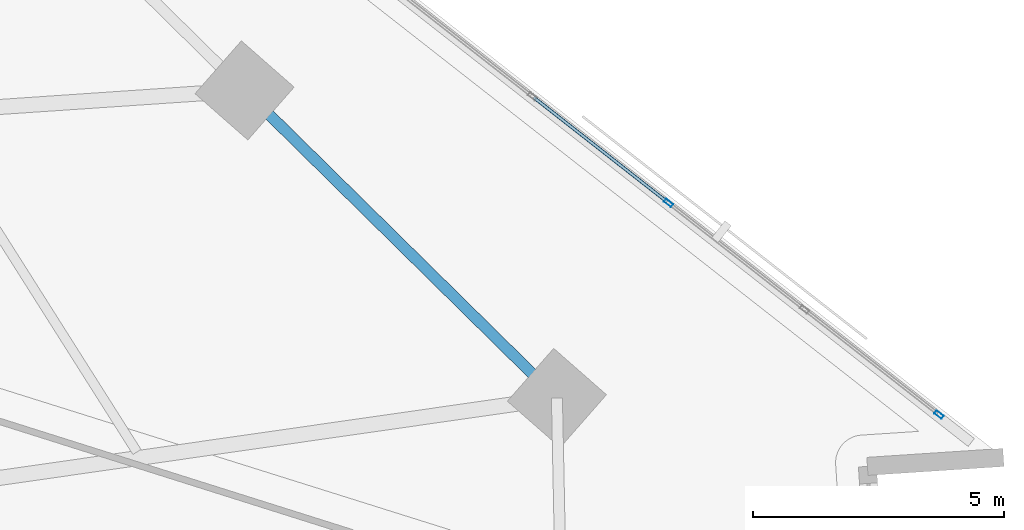
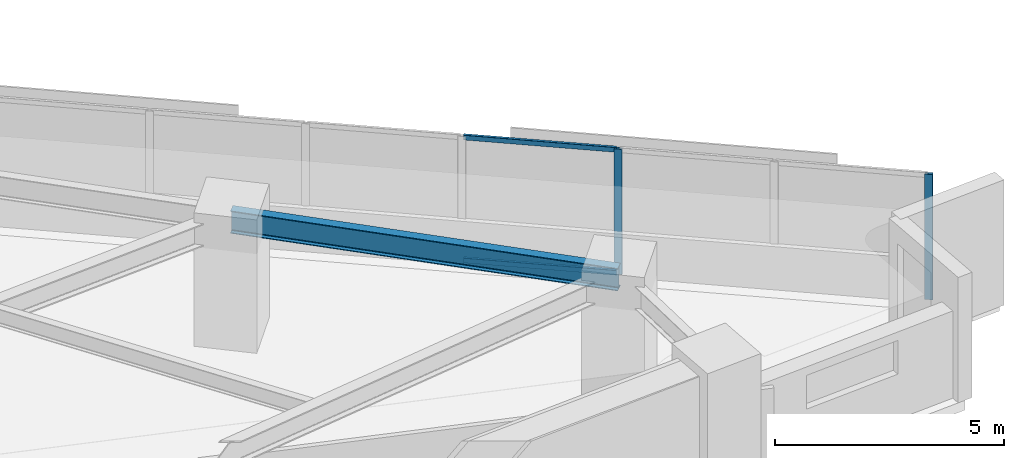
# One storey, part 4 of 16: 4 members, 1 beam, 1 element without a shape of its own.
"""IFC4 building model written with IfcOpenShell, lengths in metres."""

from ifc_helpers import new_model, si_unit, direction, frame, origin, origin_2d, place, context, subcontext, project, spatial, hollow_rectangle, i_section, extrude, material, material_profile, profile_set, type_object, element, aggregate, save


model = new_model("IFC4")

# Units and contexts
model_context = context("Model", 3, precision=1e-05, world=origin(), true_north=direction((0.0, 1.0)))
body_context = subcontext(model_context, "Body", "Model", "MODEL_VIEW")
ifc_project = project(units=[si_unit("LENGTHUNIT", "METRE"), si_unit("AREAUNIT", "SQUARE_METRE"), si_unit("VOLUMEUNIT", "CUBIC_METRE"), si_unit("PLANEANGLEUNIT", "RADIAN"), si_unit("MASSUNIT", "GRAM", prefix="KILO")], contexts=[model_context])

# Site, building, storey
site_placement = place(None, origin())
site = spatial("IfcSite", under=ifc_project, at=site_placement, CompositionType="ELEMENT")
building_placement = place(site_placement, origin())
building = spatial("IfcBuilding", under=site, at=building_placement, Name="Narakoshi Arena Tower", CompositionType="ELEMENT")
storey_placement = place(building_placement, frame((0.0, 0.0, 77.699951171875)))
storey = spatial("IfcBuildingStorey", under=building, at=storey_placement, Name="L20", CompositionType="ELEMENT", Elevation=77.699951171875)

# Beam
ifc_material_1 = material(Name="Structural steel S355J2", Category="steel")
ifc_material_profile_1 = material_profile(ifc_material_1, i_section(OverallWidth=0.219970703125, OverallDepth=0.60009765625, WebThickness=0.011962890625, FlangeThickness=0.01904296875, FilletRadius=0.02392578125, at=origin_2d()), Name="IPE600")
ifc_profile_set_1 = profile_set([ifc_material_profile_1], Name="Structural steel S355J2")
beam_type = type_object("IfcBeamType", Name="BM-EDGE-600", PredefinedType="BEAM", material=ifc_profile_set_1)
beam_placement = place(storey_placement, frame((113.21630859375, 38.669189453125, 3.0400390625), z_axis=(-0.712519972485, 0.701651828765, 0.0), x_axis=(-0.701651828765, -0.712519972485, 0.0)))
element("IfcBeam", 1, at=beam_placement, inside=storey, type_object=beam_type, Name="L20 Perimeter Edge Girder 05", PredefinedType="BEAM", context=body_context, shape_type="SweptSolid", body=[
    extrude(i_section(OverallWidth=0.219970703125, OverallDepth=0.60009765625, WebThickness=0.011962890625, FlangeThickness=0.01904296875, FilletRadius=0.02392578125, at=origin_2d()), origin(), (0.0, 0.0, 1.0), 8.738525390625),
])

# Curtain wall, members
ifc_material_2 = material(Name="Anodised bronze aluminium 6063-T6", Category="aluminium")
curtain_wall_type = type_object("IfcCurtainWallType", Name="CW-HYP-LOW", PredefinedType="NOTDEFINED", material=ifc_material_2)
curtain_wall_placement = place(storey_placement, origin())
curtain_wall = element("IfcCurtainWall", 2, at=curtain_wall_placement, inside=storey, type_object=curtain_wall_type, Name="L20 Folded Hypotenuse Curtain Wall 1-1", PredefinedType="NOTDEFINED")
ifc_material_profile_2 = material_profile(ifc_material_2, hollow_rectangle(XDim=0.074951171875, YDim=0.179931640625, WallThickness=0.00390625, OuterFilletRadius=0.0048828125, at=origin_2d()), Name="MUL180x75x4")
ifc_profile_set_2 = profile_set([ifc_material_profile_2], Name="Anodised bronze aluminium 6063-T6")
member_type_1 = type_object("IfcMemberType", Name="MEM-MUL-180", PredefinedType="MULLION", material=ifc_profile_set_2)
member_1_placement = place(storey_placement, frame((120.83251953125, 38.336181640625, 0.0), z_axis=(0.0, 0.0, 1.0), x_axis=(-0.616458234641, -0.787387607817, 0.0)))
member_1 = element("IfcMember", 3, at=member_1_placement, type_object=member_type_1, Name="CW-01 mullion 1", PredefinedType="MULLION", context=body_context, shape_type="SweptSolid", body=[
    extrude(hollow_rectangle(XDim=0.074951171875, YDim=0.179931640625, WallThickness=0.00390625, OuterFilletRadius=0.0048828125, at=origin_2d()), origin(), (0.0, 0.0, 1.0), 3.340087890625),
])
member_2_placement = place(storey_placement, frame((115.43896484375, 42.558837890625, 0.0), z_axis=(0.0, 0.0, 1.0), x_axis=(-0.616458234641, -0.787387607817, 0.0)))
member_2 = element("IfcMember", 4, at=member_2_placement, type_object=member_type_1, Name="CW-01 mullion 3", PredefinedType="MULLION", context=body_context, shape_type="SweptSolid", body=[
    extrude(hollow_rectangle(XDim=0.074951171875, YDim=0.179931640625, WallThickness=0.00390625, OuterFilletRadius=0.0048828125, at=origin_2d()), origin(), (0.0, 0.0, 1.0), 3.340087890625),
])
ifc_material_profile_3 = material_profile(ifc_material_2, hollow_rectangle(XDim=0.06494140625, YDim=0.1298828125, WallThickness=0.00390625, OuterFilletRadius=0.0048828125, at=origin_2d()), Name="TRN130x65x4")
ifc_profile_set_3 = profile_set([ifc_material_profile_3], Name="Anodised bronze aluminium 6063-T6")
member_type_2 = type_object("IfcMemberType", Name="MEM-TRN-130", PredefinedType="USERDEFINED", material=ifc_profile_set_3)
member_3_placement = place(storey_placement, frame((115.409423828125, 42.58203125, 0.032470703125), z_axis=(-0.787373456673, 0.616476309137, 0.0), x_axis=(-0.616476309137, -0.787373456673, 0.0)))
member_3 = element("IfcMember", 5, at=member_3_placement, type_object=member_type_2, Name="CW-01 transom 3.1", ObjectType="TRANSOM", PredefinedType="USERDEFINED", context=body_context, shape_type="SweptSolid", body=[
    extrude(hollow_rectangle(XDim=0.06494140625, YDim=0.1298828125, WallThickness=0.00390625, OuterFilletRadius=0.0048828125, at=origin_2d()), origin(), (0.0, 0.0, 1.0), 3.36865234375),
])
member_4_placement = place(storey_placement, frame((115.409423828125, 42.58203125, 3.3076171875), z_axis=(-0.787373456673, 0.616476309137, 0.0), x_axis=(-0.616476309137, -0.787373456673, 0.0)))
member_4 = element("IfcMember", 6, at=member_4_placement, type_object=member_type_2, Name="CW-01 transom 3.2", ObjectType="TRANSOM", PredefinedType="USERDEFINED", context=body_context, shape_type="SweptSolid", body=[
    extrude(hollow_rectangle(XDim=0.06494140625, YDim=0.1298828125, WallThickness=0.00390625, OuterFilletRadius=0.0048828125, at=origin_2d()), origin(), (0.0, 0.0, 1.0), 3.36865234375),
])
aggregate(curtain_wall, [member_1, member_2, member_3, member_4])

save(model, "model.ifc")
